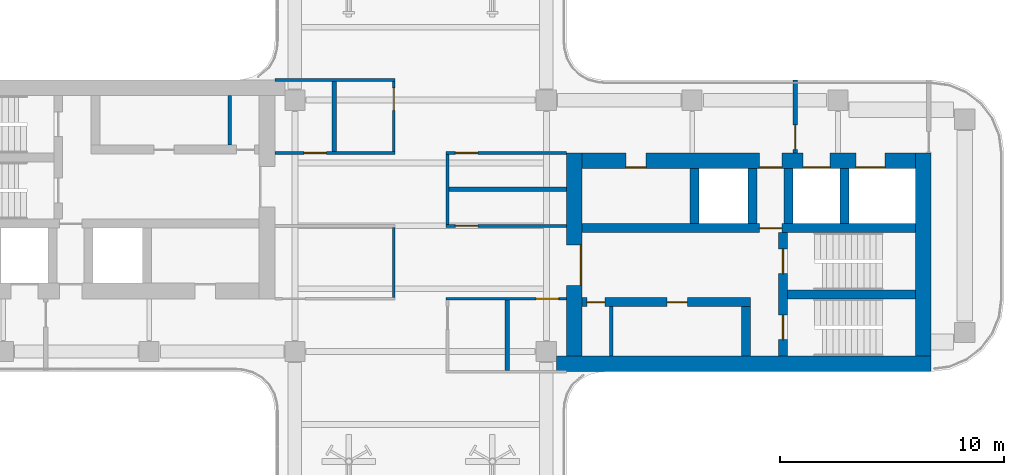
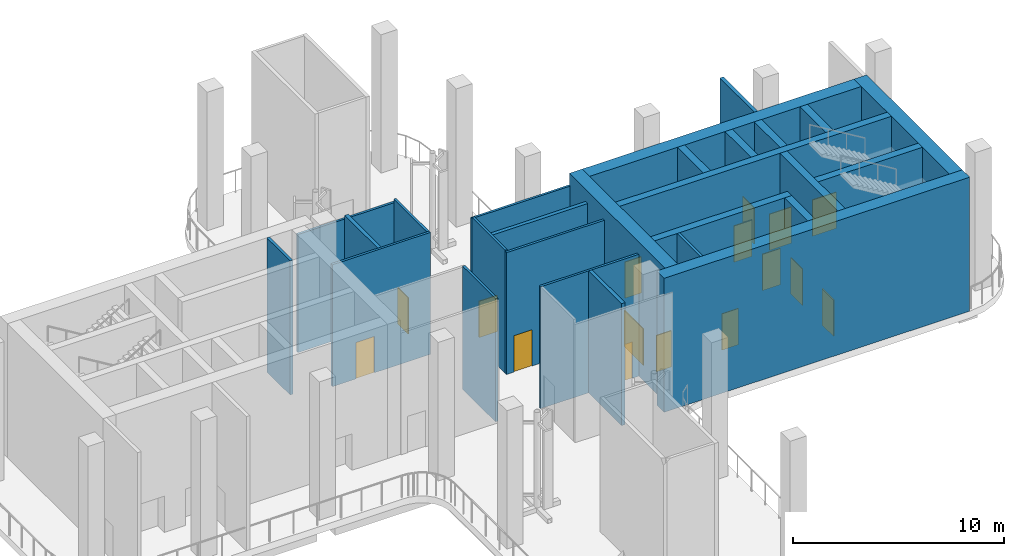
# One storey, part 3 of 8: 27 walls, 16 doors, 16 openings.
"""IFC4 building model written with IfcOpenShell, lengths in metres."""

from ifc_helpers import new_model, si_unit, direction, frame, frame_2d, origin, place, context, subcontext, project, spatial, rectangle, extrude, source, transform, mapped, material, layer, layer_set, type_object, element, fill, save


model = new_model("IFC4")

# Units and contexts
model_context = context("Model", 3, precision=1e-05, world=origin(), true_north=direction((0.0, 1.0)))
body_context = subcontext(model_context, "Body", "Model", "MODEL_VIEW")
ifc_project = project(units=[si_unit("LENGTHUNIT", "METRE"), si_unit("AREAUNIT", "SQUARE_METRE"), si_unit("VOLUMEUNIT", "CUBIC_METRE"), si_unit("PLANEANGLEUNIT", "RADIAN"), si_unit("MASSUNIT", "GRAM", prefix="KILO")], contexts=[model_context])

# Site, building, storey
site_placement = place(None, origin())
site = spatial("IfcSite", under=ifc_project, at=site_placement, CompositionType="ELEMENT")
building_placement = place(site_placement, origin())
building = spatial("IfcBuilding", under=site, at=building_placement, Name="Trellis Farm Tower", CompositionType="ELEMENT")
storey_placement = place(building_placement, frame((0.0, 0.0, 330.10009765625)))
storey = spatial("IfcBuildingStorey", under=building, at=storey_placement, Name="L75", CompositionType="ELEMENT", Elevation=330.10009765625)

# Wall
ifc_material_1 = material(Name="Lightweight blockwork, plastered", Category="masonry")
ifc_layer_1 = layer(ifc_material_1, 0.199951171875)
ifc_layer_set_1 = layer_set([ifc_layer_1], Name="BLOCK WALL 200 EI 120")
wall_type_1 = type_object("IfcWallType", Name="BLOCK WALL 200 EI 120", PredefinedType="PARTITIONING", material=ifc_layer_set_1)
wall_1_placement = place(storey_placement, frame((1.262451171875, 1.625, 0.0), z_axis=(0.0, 0.0, 1.0), x_axis=(1.0, 0.0, 0.0)))
element("IfcWall", 1, at=wall_1_placement, inside=storey, type_object=wall_type_1, Name="Partition PW3", PredefinedType="PARTITIONING", context=body_context, shape_type="SweptSolid", body=[
    extrude(rectangle(XDim=5.237548828125, YDim=0.199951171875, at=frame_2d((2.61865234375, 0.0))), origin(), (0.0, 0.0, 1.0), 7.04638671875),
])

# Wall, opening, door
ifc_material_2 = material(Name="Concrete C50/60", Category="concrete")
ifc_layer_2 = layer(ifc_material_2, 0.699951171875)
ifc_layer_set_2 = layer_set([ifc_layer_2], Name="CORE OUTER WALL 700 CONCRETE C50/60")
wall_type_2 = type_object("IfcWallType", Name="CORE OUTER WALL 700 CONCRETE C50/60", PredefinedType="SHEAR", material=ifc_layer_set_2)
shared_shape_1 = source(origin(), body_context, "Body", "SweptSolid", [
    extrude(rectangle(XDim=9.050048828125, YDim=0.699951171875, at=frame_2d((4.52490234375, 0.0))), origin(), (0.0, 0.0, 1.0), 7.75),
])
wall_2_placement = place(storey_placement, frame((6.85009765625, -5.800048828125, 0.0), z_axis=(0.0, 0.0, 1.0), x_axis=(0.0, 1.0, 0.0)))
wall_2 = element("IfcWall", 2, at=wall_2_placement, inside=storey, type_object=wall_type_2, Name="Core wall", PredefinedType="SHEAR", context=body_context, shape_type="MappedRepresentation", body=[
    mapped(shared_shape_1, transform((0.0, 0.0, 0.0))),
])
shared_shape_2 = source(origin(), body_context, "Body", "SweptSolid", [
    extrude(rectangle(XDim=1.800048828125, YDim=2.10009765625, at=frame_2d((0.89990234375, 1.050048828125))), frame((0.0, 0.360107421875, 0.0), z_axis=(0.0, -1.0, 0.0), x_axis=(1.0, 0.0, 0.0)), (0.0, 0.0, 1.0), 0.72021484375),
])
opening_1_placement = place(wall_2_placement, frame((3.14990234375, 0.0, 0.0)))
opening_1 = element("IfcOpeningElement", 3, at=opening_1_placement, cuts=wall_2, Name="Opening DC1", PredefinedType="OPENING", context=body_context, shape_type="MappedRepresentation", body=[
    mapped(shared_shape_2, transform((0.0, 0.0, 0.0))),
])
ifc_material_3 = material(Name="Steel", Category="steel")
door_type_1 = type_object("IfcDoorType", Name="CORE FIRE DOOR DOUBLE 1800 X 2100", OperationType="DOUBLE_DOOR_SINGLE_SWING", PredefinedType="DOOR", material=ifc_material_3)
shared_shape_3 = source(origin(), body_context, "Body", "SweptSolid", [
    extrude(rectangle(XDim=1.800048828125, YDim=2.10009765625, at=frame_2d((0.89990234375, 1.050048828125))), frame((0.0, -0.27490234375, 0.0), z_axis=(0.0, -1.0, 0.0), x_axis=(1.0, 0.0, 0.0)), (0.0, 0.0, 1.0), 0.050048828125),
])
door_1_placement = place(opening_1_placement, origin())
door_1 = element("IfcDoor", 4, at=door_1_placement, inside=storey, type_object=door_type_1, Name="Core door", OperationType="DOUBLE_DOOR_SINGLE_SWING", OverallHeight=2.10009765625, OverallWidth=1.800048828125, PredefinedType="DOOR", context=body_context, shape_type="MappedRepresentation", body=[
    mapped(shared_shape_3, transform((0.0, 0.0, 0.0))),
])
fill(opening_1, door_1)

# Walls
wall_3_placement = place(storey_placement, frame((22.39990234375, -5.800048828125, 0.0), z_axis=(0.0, 0.0, 1.0), x_axis=(0.0, 1.0, 0.0)))
element("IfcWall", 5, at=wall_3_placement, inside=storey, type_object=wall_type_2, Name="Core wall", PredefinedType="SHEAR", context=body_context, shape_type="MappedRepresentation", body=[
    mapped(shared_shape_1, transform((0.0, 0.0, 0.0))),
])
ifc_layer_3 = layer(ifc_material_2, 0.39990234375)
ifc_layer_set_3 = layer_set([ifc_layer_3], Name="CORE INNER WALL 400 CONCRETE C50/60")
wall_type_3 = type_object("IfcWallType", Name="CORE INNER WALL 400 CONCRETE C50/60", PredefinedType="SHEAR", material=ifc_layer_set_3)
shared_shape_4 = source(origin(), body_context, "Body", "SweptSolid", [
    extrude(rectangle(XDim=2.449951171875, YDim=0.39990234375, at=frame_2d((1.22509765625, 0.0))), origin(), (0.0, 0.0, 1.0), 7.75),
])
for number, where, z_axis, x_axis, name in (
    (6, (12.199951171875, 0.10009765625, 0.0), (0.0, 0.0, 1.0), (0.0, 1.0, 0.0), "Core wall"),
    (7, (14.800048828125, 0.10009765625, 0.0), (0.0, 0.0, 1.0), (0.0, 1.0, 0.0), "Core wall"),
    (8, (16.39990234375, 0.10009765625, 0.0), (0.0, 0.0, 1.0), (0.0, 1.0, 0.0), "Core wall"),
    (9, (18.89990234375, 0.10009765625, 0.0), (0.0, 0.0, 1.0), (0.0, 1.0, 0.0), "Core wall"),
):
    element("IfcWall", number, at=place(storey_placement, frame(where, z_axis=z_axis, x_axis=x_axis)), inside=storey, type_object=wall_type_3, Name=name, PredefinedType="SHEAR", context=body_context, shape_type="MappedRepresentation", body=[
        mapped(shared_shape_4, transform((0.0, 0.0, 0.0))),
    ])

# Wall, opening, door
ifc_material_4 = material(Name="Masonry blockwork", Category="masonry")
ifc_layer_4 = layer(ifc_material_4, 0.199951171875)
ifc_layer_set_4 = layer_set([ifc_layer_4], Name="FIRE LOBBY PARTITION 200 BLOCKWORK")
wall_type_4 = type_object("IfcWallType", Name="FIRE LOBBY PARTITION 200 BLOCKWORK", PredefinedType="PARTITIONING", material=ifc_layer_set_4)
shared_shape_5 = source(origin(), body_context, "Body", "SweptSolid", [
    extrude(rectangle(XDim=3.25, YDim=0.199951171875, at=frame_2d((1.625, 0.0))), origin(), (0.0, 0.0, 1.0), 7.75),
])
wall_4_placement = place(storey_placement, frame((16.699951171875, 3.25, 0.0), z_axis=(0.0, 0.0, 1.0), x_axis=(0.0, 1.0, 0.0)))
wall_4 = element("IfcWall", 10, at=wall_4_placement, inside=storey, type_object=wall_type_4, Name="Fire-fighting lobby partition", PredefinedType="PARTITIONING", context=body_context, shape_type="MappedRepresentation", body=[
    mapped(shared_shape_5, transform((0.0, 0.0, 0.0))),
])
shared_shape_6 = source(origin(), body_context, "Body", "SweptSolid", [
    extrude(rectangle(XDim=1.10009765625, YDim=2.10009765625, at=frame_2d((0.550048828125, 1.050048828125))), frame((0.0, 0.110107421875, 0.0), z_axis=(0.0, -1.0, 0.0), x_axis=(1.0, 0.0, 0.0)), (0.0, 0.0, 1.0), 0.22021484375),
])
opening_2_placement = place(wall_4_placement, frame((0.14990234375, 0.0, 0.0)))
opening_2 = element("IfcOpeningElement", 11, at=opening_2_placement, cuts=wall_4, Name="Opening DC7", PredefinedType="OPENING", context=body_context, shape_type="MappedRepresentation", body=[
    mapped(shared_shape_6, transform((0.0, 0.0, 0.0))),
])
door_type_2 = type_object("IfcDoorType", Name="CORE FIRE DOOR 1100 X 2100", OperationType="NOTDEFINED", PredefinedType="DOOR", material=ifc_material_3)
shared_shape_7 = source(origin(), body_context, "Body", "SweptSolid", [
    extrude(rectangle(XDim=1.10009765625, YDim=2.10009765625, at=frame_2d((0.550048828125, 1.050048828125))), frame((0.0, 0.02490234375, 0.0), z_axis=(0.0, -1.0, 0.0), x_axis=(1.0, 0.0, 0.0)), (0.0, 0.0, 1.0), 0.050048828125),
])
door_2_placement = place(opening_2_placement, origin())
door_2 = element("IfcDoor", 12, at=door_2_placement, inside=storey, type_object=door_type_2, Name="Core door", OperationType="SINGLE_SWING_RIGHT", OverallHeight=2.10009765625, OverallWidth=1.10009765625, PredefinedType="DOOR", context=body_context, shape_type="MappedRepresentation", body=[
    mapped(shared_shape_7, transform((0.0, 0.0, 0.0))),
])
fill(opening_2, door_2)

# Wall
shared_shape_8 = source(origin(), body_context, "Body", "SweptSolid", [
    extrude(rectangle(XDim=16.699951171875, YDim=0.699951171875, at=frame_2d((8.35009765625, 0.0))), origin(), (0.0, 0.0, 1.0), 7.75),
])
wall_5_placement = place(storey_placement, frame((6.050048828125, -6.14990234375, 0.0), z_axis=(0.0, 0.0, 1.0), x_axis=(1.0, 0.0, 0.0)))
element("IfcWall", 13, at=wall_5_placement, inside=storey, type_object=wall_type_2, Name="Core wall", PredefinedType="SHEAR", context=body_context, shape_type="MappedRepresentation", body=[
    mapped(shared_shape_8, transform((0.0, 0.0, 0.0))),
])

# Wall, openings, doors
shared_shape_9 = source(origin(), body_context, "Body", "SweptSolid", [
    extrude(rectangle(XDim=14.85009765625, YDim=0.699951171875, at=frame_2d((7.425048828125, 0.0))), origin(), (0.0, 0.0, 1.0), 7.75),
])
wall_6_placement = place(storey_placement, frame((7.199951171875, 2.89990234375, 0.0), z_axis=(0.0, 0.0, 1.0), x_axis=(1.0, 0.0, 0.0)))
wall_6 = element("IfcWall", 14, at=wall_6_placement, inside=storey, type_object=wall_type_2, Name="Core wall", PredefinedType="SHEAR", context=body_context, shape_type="MappedRepresentation", body=[
    mapped(shared_shape_9, transform((0.0, 0.0, 0.0))),
])
shared_shape_10 = source(origin(), body_context, "Body", "SweptSolid", [
    extrude(rectangle(XDim=1.300048828125, YDim=2.10009765625, at=frame_2d((0.64990234375, 1.050048828125))), frame((0.0, 0.360107421875, 0.0), z_axis=(0.0, -1.0, 0.0), x_axis=(1.0, 0.0, 0.0)), (0.0, 0.0, 1.0), 0.72021484375),
])
opening_3_placement = place(wall_6_placement, frame((12.199951171875, 0.0, 0.0)))
opening_3 = element("IfcOpeningElement", 15, at=opening_3_placement, cuts=wall_6, Name="Opening LD7", PredefinedType="OPENING", context=body_context, shape_type="MappedRepresentation", body=[
    mapped(shared_shape_10, transform((0.0, 0.0, 0.0))),
])
shared_shape_11 = source(origin(), body_context, "Body", "SweptSolid", [
    extrude(rectangle(XDim=1.199951171875, YDim=2.10009765625, at=frame_2d((0.60009765625, 1.050048828125))), frame((0.0, 0.360107421875, 0.0), z_axis=(0.0, -1.0, 0.0), x_axis=(1.0, 0.0, 0.0)), (0.0, 0.0, 1.0), 0.72021484375),
])
opening_4_placement = place(wall_6_placement, frame((9.85009765625, 0.0, 0.0)))
opening_4 = element("IfcOpeningElement", 16, at=opening_4_placement, cuts=wall_6, Name="Opening LD8", PredefinedType="OPENING", context=body_context, shape_type="MappedRepresentation", body=[
    mapped(shared_shape_11, transform((0.0, 0.0, 0.0))),
])
shared_shape_12 = source(origin(), body_context, "Body", "SweptSolid", [
    extrude(rectangle(XDim=1.0, YDim=2.10009765625, at=frame_2d((0.5, 1.050048828125))), frame((0.0, 0.360107421875, 0.0), z_axis=(0.0, -1.0, 0.0), x_axis=(1.0, 0.0, 0.0)), (0.0, 0.0, 1.0), 0.72021484375),
])
opening_5_placement = place(wall_6_placement, frame((7.89990234375, 0.0, 0.0)))
opening_5 = element("IfcOpeningElement", 17, at=opening_5_placement, cuts=wall_6, Name="Opening DC6", PredefinedType="OPENING", context=body_context, shape_type="MappedRepresentation", body=[
    mapped(shared_shape_12, transform((0.0, 0.0, 0.0))),
])
shared_shape_13 = source(origin(), body_context, "Body", "SweptSolid", [
    extrude(rectangle(XDim=0.89990234375, YDim=2.10009765625, at=frame_2d((0.449951171875, 1.050048828125))), frame((0.0, 0.360107421875, 0.0), z_axis=(0.0, -1.0, 0.0), x_axis=(1.0, 0.0, 0.0)), (0.0, 0.0, 1.0), 0.72021484375),
])
opening_6_placement = place(wall_6_placement, frame((1.949951171875, 0.0, 0.0)))
opening_6 = element("IfcOpeningElement", 18, at=opening_6_placement, cuts=wall_6, Name="Opening DC11", PredefinedType="OPENING", context=body_context, shape_type="MappedRepresentation", body=[
    mapped(shared_shape_13, transform((0.0, 0.0, 0.0))),
])
door_type_3 = type_object("IfcDoorType", Name="CORE FIRE DOOR 1000 X 2100", OperationType="NOTDEFINED", PredefinedType="DOOR", material=ifc_material_3)
shared_shape_14 = source(origin(), body_context, "Body", "SweptSolid", [
    extrude(rectangle(XDim=1.0, YDim=2.10009765625, at=frame_2d((0.5, 1.050048828125))), frame((0.0, -0.27490234375, 0.0), z_axis=(0.0, -1.0, 0.0), x_axis=(1.0, 0.0, 0.0)), (0.0, 0.0, 1.0), 0.050048828125),
])
door_3_placement = place(opening_5_placement, origin())
door_3 = element("IfcDoor", 19, at=door_3_placement, inside=storey, type_object=door_type_3, Name="Core door", OperationType="SINGLE_SWING_LEFT", OverallHeight=2.10009765625, OverallWidth=1.0, PredefinedType="DOOR", context=body_context, shape_type="MappedRepresentation", body=[
    mapped(shared_shape_14, transform((0.0, 0.0, 0.0))),
])
fill(opening_5, door_3)
door_type_4 = type_object("IfcDoorType", Name="CORE FIRE DOOR 900 X 2100", OperationType="NOTDEFINED", PredefinedType="DOOR", material=ifc_material_3)
shared_shape_15 = source(origin(), body_context, "Body", "SweptSolid", [
    extrude(rectangle(XDim=0.89990234375, YDim=2.10009765625, at=frame_2d((0.449951171875, 1.050048828125))), frame((0.0, -0.27490234375, 0.0), z_axis=(0.0, -1.0, 0.0), x_axis=(1.0, 0.0, 0.0)), (0.0, 0.0, 1.0), 0.050048828125),
])
door_4_placement = place(opening_6_placement, origin())
door_4 = element("IfcDoor", 20, at=door_4_placement, inside=storey, type_object=door_type_4, Name="Core door", OperationType="SINGLE_SWING_LEFT", OverallHeight=2.10009765625, OverallWidth=0.89990234375, PredefinedType="DOOR", context=body_context, shape_type="MappedRepresentation", body=[
    mapped(shared_shape_15, transform((0.0, 0.0, 0.0))),
])
fill(opening_6, door_4)
ifc_material_5 = material(Name="Stainless steel", Category="steel")
door_type_5 = type_object("IfcDoorType", Name="LIFT LANDING DOOR 1300 X 2100", OperationType="DOUBLE_DOOR_SLIDING", PredefinedType="DOOR", material=ifc_material_5)
shared_shape_16 = source(origin(), body_context, "Body", "SweptSolid", [
    extrude(rectangle(XDim=1.300048828125, YDim=2.10009765625, at=frame_2d((0.64990234375, 1.050048828125))), frame((0.0, -0.27490234375, 0.0), z_axis=(0.0, -1.0, 0.0), x_axis=(1.0, 0.0, 0.0)), (0.0, 0.0, 1.0), 0.050048828125),
])
door_5_placement = place(opening_3_placement, origin())
door_5 = element("IfcDoor", 21, at=door_5_placement, inside=storey, type_object=door_type_5, Name="Lift landing door", OperationType="DOUBLE_DOOR_SLIDING", OverallHeight=2.10009765625, OverallWidth=1.300048828125, PredefinedType="DOOR", context=body_context, shape_type="MappedRepresentation", body=[
    mapped(shared_shape_16, transform((0.0, 0.0, 0.0))),
])
fill(opening_3, door_5)
door_type_6 = type_object("IfcDoorType", Name="LIFT LANDING DOOR 1200 X 2100", OperationType="DOUBLE_DOOR_SLIDING", PredefinedType="DOOR", material=ifc_material_5)
shared_shape_17 = source(origin(), body_context, "Body", "SweptSolid", [
    extrude(rectangle(XDim=1.199951171875, YDim=2.10009765625, at=frame_2d((0.60009765625, 1.050048828125))), frame((0.0, -0.27490234375, 0.0), z_axis=(0.0, -1.0, 0.0), x_axis=(1.0, 0.0, 0.0)), (0.0, 0.0, 1.0), 0.050048828125),
])
door_6_placement = place(opening_4_placement, origin())
door_6 = element("IfcDoor", 22, at=door_6_placement, inside=storey, type_object=door_type_6, Name="Lift landing door", OperationType="DOUBLE_DOOR_SLIDING", OverallHeight=2.10009765625, OverallWidth=1.199951171875, PredefinedType="DOOR", context=body_context, shape_type="MappedRepresentation", body=[
    mapped(shared_shape_17, transform((0.0, 0.0, 0.0))),
])
fill(opening_4, door_6)

shared_shape_18 = source(origin(), body_context, "Body", "SweptSolid", [
    extrude(rectangle(XDim=7.5, YDim=0.39990234375, at=frame_2d((3.75, 0.0))), origin(), (0.0, 0.0, 1.0), 7.75),
])
wall_7_placement = place(storey_placement, frame((7.199951171875, -3.39990234375, 0.0), z_axis=(0.0, 0.0, 1.0), x_axis=(1.0, 0.0, 0.0)))
wall_7 = element("IfcWall", 23, at=wall_7_placement, inside=storey, type_object=wall_type_3, Name="Core wall", PredefinedType="SHEAR", context=body_context, shape_type="MappedRepresentation", body=[
    mapped(shared_shape_18, transform((0.0, 0.0, 0.0))),
])
shared_shape_19 = source(origin(), body_context, "Body", "SweptSolid", [
    extrude(rectangle(XDim=0.800048828125, YDim=2.10009765625, at=frame_2d((0.39990234375, 1.050048828125))), frame((0.0, 0.2099609375, 0.0), z_axis=(0.0, -1.0, 0.0), x_axis=(1.0, 0.0, 0.0)), (0.0, 0.0, 1.0), 0.419921875),
])
opening_7_placement = place(wall_7_placement, frame((0.21240234375, 0.0, 0.0)))
opening_7 = element("IfcOpeningElement", 24, at=opening_7_placement, cuts=wall_7, Name="Opening DC51", PredefinedType="OPENING", context=body_context, shape_type="MappedRepresentation", body=[
    mapped(shared_shape_19, transform((0.0, 0.0, 0.0))),
])
shared_shape_20 = source(origin(), body_context, "Body", "SweptSolid", [
    extrude(rectangle(XDim=0.89990234375, YDim=2.10009765625, at=frame_2d((0.449951171875, 1.050048828125))), frame((0.0, 0.2099609375, 0.0), z_axis=(0.0, -1.0, 0.0), x_axis=(1.0, 0.0, 0.0)), (0.0, 0.0, 1.0), 0.419921875),
])
opening_8_placement = place(wall_7_placement, frame((3.78759765625, 0.0, 0.0)))
opening_8 = element("IfcOpeningElement", 25, at=opening_8_placement, cuts=wall_7, Name="Opening DC60", PredefinedType="OPENING", context=body_context, shape_type="MappedRepresentation", body=[
    mapped(shared_shape_20, transform((0.0, 0.0, 0.0))),
])
shared_shape_21 = source(origin(), body_context, "Body", "SweptSolid", [
    extrude(rectangle(XDim=0.89990234375, YDim=2.10009765625, at=frame_2d((0.449951171875, 1.050048828125))), frame((0.0, 0.02490234375, 0.0), z_axis=(0.0, -1.0, 0.0), x_axis=(1.0, 0.0, 0.0)), (0.0, 0.0, 1.0), 0.050048828125),
])
door_7_placement = place(opening_8_placement, origin())
door_7 = element("IfcDoor", 26, at=door_7_placement, inside=storey, type_object=door_type_4, Name="Core door", OperationType="SINGLE_SWING_RIGHT", OverallHeight=2.10009765625, OverallWidth=0.89990234375, PredefinedType="DOOR", context=body_context, shape_type="MappedRepresentation", body=[
    mapped(shared_shape_21, transform((0.0, 0.0, 0.0))),
])
fill(opening_8, door_7)
door_type_7 = type_object("IfcDoorType", Name="CORE FIRE DOOR 800 X 2100", OperationType="NOTDEFINED", PredefinedType="DOOR", material=ifc_material_3)
shared_shape_22 = source(origin(), body_context, "Body", "SweptSolid", [
    extrude(rectangle(XDim=0.800048828125, YDim=2.10009765625, at=frame_2d((0.39990234375, 1.050048828125))), frame((0.0, 0.02490234375, 0.0), z_axis=(0.0, -1.0, 0.0), x_axis=(1.0, 0.0, 0.0)), (0.0, 0.0, 1.0), 0.050048828125),
])
door_8_placement = place(opening_7_placement, origin())
door_8 = element("IfcDoor", 27, at=door_8_placement, inside=storey, type_object=door_type_7, Name="Core door", OperationType="SINGLE_SWING_LEFT", OverallHeight=2.10009765625, OverallWidth=0.800048828125, PredefinedType="DOOR", context=body_context, shape_type="MappedRepresentation", body=[
    mapped(shared_shape_22, transform((0.0, 0.0, 0.0))),
])
fill(opening_7, door_8)

# Wall, opening, door
shared_shape_23 = source(origin(), body_context, "Body", "SweptSolid", [
    extrude(rectangle(XDim=14.85009765625, YDim=0.39990234375, at=frame_2d((7.425048828125, 0.0))), origin(), (0.0, 0.0, 1.0), 7.75),
])
wall_8_placement = place(storey_placement, frame((7.199951171875, -0.10009765625, 0.0), z_axis=(0.0, 0.0, 1.0), x_axis=(1.0, 0.0, 0.0)))
wall_8 = element("IfcWall", 28, at=wall_8_placement, inside=storey, type_object=wall_type_3, Name="Core wall", PredefinedType="SHEAR", context=body_context, shape_type="MappedRepresentation", body=[
    mapped(shared_shape_23, transform((0.0, 0.0, 0.0))),
])
shared_shape_24 = source(origin(), body_context, "Body", "SweptSolid", [
    extrude(rectangle(XDim=1.0, YDim=2.10009765625, at=frame_2d((0.5, 1.050048828125))), frame((0.0, 0.2099609375, 0.0), z_axis=(0.0, -1.0, 0.0), x_axis=(1.0, 0.0, 0.0)), (0.0, 0.0, 1.0), 0.419921875),
])
opening_9_placement = place(wall_8_placement, frame((7.89990234375, 0.0, 0.0)))
opening_9 = element("IfcOpeningElement", 29, at=opening_9_placement, cuts=wall_8, Name="Opening DC5", PredefinedType="OPENING", context=body_context, shape_type="MappedRepresentation", body=[
    mapped(shared_shape_24, transform((0.0, 0.0, 0.0))),
])
shared_shape_25 = source(origin(), body_context, "Body", "SweptSolid", [
    extrude(rectangle(XDim=1.0, YDim=2.10009765625, at=frame_2d((0.5, 1.050048828125))), frame((0.0, 0.02490234375, 0.0), z_axis=(0.0, -1.0, 0.0), x_axis=(1.0, 0.0, 0.0)), (0.0, 0.0, 1.0), 0.050048828125),
])
door_9_placement = place(opening_9_placement, origin())
door_9 = element("IfcDoor", 30, at=door_9_placement, inside=storey, type_object=door_type_3, Name="Core door", OperationType="SINGLE_SWING_RIGHT", OverallHeight=2.10009765625, OverallWidth=1.0, PredefinedType="DOOR", context=body_context, shape_type="MappedRepresentation", body=[
    mapped(shared_shape_25, transform((0.0, 0.0, 0.0))),
])
fill(opening_9, door_9)

# Wall, openings, doors
shared_shape_26 = source(origin(), body_context, "Body", "SweptSolid", [
    extrude(rectangle(XDim=5.5, YDim=0.39990234375, at=frame_2d((2.75, 0.0))), origin(), (0.0, 0.0, 1.0), 7.75),
])
wall_9_placement = place(storey_placement, frame((16.14990234375, -5.800048828125, 0.0), z_axis=(0.0, 0.0, 1.0), x_axis=(0.0, 1.0, 0.0)))
wall_9 = element("IfcWall", 31, at=wall_9_placement, inside=storey, type_object=wall_type_3, Name="Core wall", PredefinedType="SHEAR", context=body_context, shape_type="MappedRepresentation", body=[
    mapped(shared_shape_26, transform((0.0, 0.0, 0.0))),
])
shared_shape_27 = source(origin(), body_context, "Body", "SweptSolid", [
    extrude(rectangle(XDim=1.10009765625, YDim=2.10009765625, at=frame_2d((0.550048828125, 1.050048828125))), frame((0.0, 0.2099609375, 0.0), z_axis=(0.0, -1.0, 0.0), x_axis=(1.0, 0.0, 0.0)), (0.0, 0.0, 1.0), 0.419921875),
])
opening_10_placement = place(wall_9_placement, frame((0.72509765625, 0.0, 0.0)))
opening_10 = element("IfcOpeningElement", 32, at=opening_10_placement, cuts=wall_9, Name="Opening DC2", PredefinedType="OPENING", context=body_context, shape_type="MappedRepresentation", body=[
    mapped(shared_shape_27, transform((0.0, 0.0, 0.0))),
])
opening_11_placement = place(wall_9_placement, frame((3.675048828125, 0.0, 0.0)))
opening_11 = element("IfcOpeningElement", 33, at=opening_11_placement, cuts=wall_9, Name="Opening DC3", PredefinedType="OPENING", context=body_context, shape_type="MappedRepresentation", body=[
    mapped(shared_shape_27, transform((0.0, 0.0, 0.0))),
])
door_10_placement = place(opening_10_placement, origin())
door_10 = element("IfcDoor", 34, at=door_10_placement, inside=storey, type_object=door_type_2, Name="Core door", OperationType="SINGLE_SWING_RIGHT", OverallHeight=2.10009765625, OverallWidth=1.10009765625, PredefinedType="DOOR", context=body_context, shape_type="MappedRepresentation", body=[
    mapped(shared_shape_7, transform((0.0, 0.0, 0.0))),
])
fill(opening_10, door_10)
door_11_placement = place(opening_11_placement, origin())
door_11 = element("IfcDoor", 35, at=door_11_placement, inside=storey, type_object=door_type_2, Name="Core door", OperationType="SINGLE_SWING_LEFT", OverallHeight=2.10009765625, OverallWidth=1.10009765625, PredefinedType="DOOR", context=body_context, shape_type="MappedRepresentation", body=[
    mapped(shared_shape_7, transform((0.0, 0.0, 0.0))),
])
fill(opening_11, door_11)

# Walls
shared_shape_28 = source(origin(), body_context, "Body", "SweptSolid", [
    extrude(rectangle(XDim=5.699951171875, YDim=0.39990234375, at=frame_2d((2.85009765625, 0.0))), origin(), (0.0, 0.0, 1.0), 7.75),
])
wall_10_placement = place(storey_placement, frame((16.35009765625, -3.050048828125, 0.0), z_axis=(0.0, 0.0, 1.0), x_axis=(1.0, 0.0, 0.0)))
element("IfcWall", 36, at=wall_10_placement, inside=storey, type_object=wall_type_3, Name="Core wall", PredefinedType="SHEAR", context=body_context, shape_type="MappedRepresentation", body=[
    mapped(shared_shape_28, transform((0.0, 0.0, 0.0))),
])
shared_shape_29 = source(origin(), body_context, "Body", "SweptSolid", [
    extrude(rectangle(XDim=2.199951171875, YDim=0.39990234375, at=frame_2d((1.10009765625, 0.0))), origin(), (0.0, 0.0, 1.0), 7.75),
])
wall_11_placement = place(storey_placement, frame((14.5, -5.800048828125, 0.0), z_axis=(0.0, 0.0, 1.0), x_axis=(0.0, 1.0, 0.0)))
element("IfcWall", 37, at=wall_11_placement, inside=storey, type_object=wall_type_3, Name="Core wall", PredefinedType="SHEAR", context=body_context, shape_type="MappedRepresentation", body=[
    mapped(shared_shape_29, transform((0.0, 0.0, 0.0))),
])
ifc_layer_5 = layer(ifc_material_4, 0.14990234375)
ifc_layer_set_5 = layer_set([ifc_layer_5], Name="CORE PARTITION 150 BLOCKWORK")
wall_type_5 = type_object("IfcWallType", Name="CORE PARTITION 150 BLOCKWORK", PredefinedType="PARTITIONING", material=ifc_layer_set_5)
shared_shape_30 = source(origin(), body_context, "Body", "SweptSolid", [
    extrude(rectangle(XDim=2.199951171875, YDim=0.14990234375, at=frame_2d((1.10009765625, 0.0))), origin(), (0.0, 0.0, 1.0), 7.75),
])
for number, where, z_axis, x_axis, name in (
    (38, (8.5, -5.800048828125, 0.0), (0.0, 0.0, 1.0), (0.0, 1.0, 0.0), "Core room partition"),
    (39, (-8.5, 5.800048828125, 0.0), (0.0, 0.0, 1.0), (0.0, -1.0, 0.0), "Core room partition"),
):
    element("IfcWall", number, at=place(storey_placement, frame(where, z_axis=z_axis, x_axis=x_axis)), inside=storey, type_object=wall_type_5, Name=name, PredefinedType="PARTITIONING", context=body_context, shape_type="MappedRepresentation", body=[
        mapped(shared_shape_30, transform((0.0, 0.0, 0.0))),
    ])

# Wall, opening, door
ifc_material_6 = material(Name="Plasterboard on steel studs, mineral wool", Category="steel")
ifc_layer_6 = layer(ifc_material_6, 0.125)
ifc_layer_set_6 = layer_set([ifc_layer_6], Name="PARTITION 125 STUD EI 60")
wall_type_6 = type_object("IfcWallType", Name="PARTITION 125 STUD EI 60", PredefinedType="PARTITIONING", material=ifc_layer_set_6)
shared_shape_31 = source(origin(), body_context, "Body", "SweptSolid", [
    extrude(rectangle(XDim=3.125, YDim=0.125, at=frame_2d((1.5625, 0.0))), origin(), (0.0, 0.0, 1.0), 7.04638671875),
])
wall_12_placement = place(storey_placement, frame((-1.199951171875, 3.3125, 0.0), z_axis=(0.0, 0.0, 1.0), x_axis=(0.0, 1.0, 0.0)))
wall_12 = element("IfcWall", 40, at=wall_12_placement, inside=storey, type_object=wall_type_6, Name="Partition PW1", PredefinedType="PARTITIONING", context=body_context, shape_type="MappedRepresentation", body=[
    mapped(shared_shape_31, transform((0.0, 0.0, 0.0))),
])
shared_shape_32 = source(origin(), body_context, "Body", "SweptSolid", [
    extrude(rectangle(XDim=1.0, YDim=2.10009765625, at=frame_2d((0.5, 1.050048828125))), frame((0.0, 0.072509765625, 0.0), z_axis=(0.0, -1.0, 0.0), x_axis=(1.0, 0.0, 0.0)), (0.0, 0.0, 1.0), 0.14501953125),
])
opening_12_placement = place(wall_12_placement, frame((1.83740234375, 0.0, 0.0)))
opening_12 = element("IfcOpeningElement", 41, at=opening_12_placement, cuts=wall_12, Name="Opening D307", PredefinedType="OPENING", context=body_context, shape_type="MappedRepresentation", body=[
    mapped(shared_shape_32, transform((0.0, 0.0, 0.0))),
])
ifc_material_7 = material(Name="Fire-rated timber door leaf in a hollow metal frame", Category="wood")
door_type_8 = type_object("IfcDoorType", Name="DOOR 1000x2100 FD60", OperationType="NOTDEFINED", PredefinedType="DOOR", material=ifc_material_7)
door_12_placement = place(opening_12_placement, origin())
door_12 = element("IfcDoor", 42, at=door_12_placement, inside=storey, type_object=door_type_8, Name="Door D307", OperationType="SINGLE_SWING_RIGHT", OverallHeight=2.10009765625, OverallWidth=1.0, PredefinedType="DOOR", context=body_context, shape_type="MappedRepresentation", body=[
    mapped(shared_shape_25, transform((0.0, 0.0, 0.0))),
])
fill(opening_12, door_12)

# Walls
shared_shape_33 = source(origin(), body_context, "Body", "SweptSolid", [
    extrude(rectangle(XDim=3.125, YDim=0.125, at=frame_2d((1.5625, 0.0))), origin(), (0.0, 0.0, 1.0), 7.11767578125),
])
for number, where, z_axis, x_axis, name in (
    (43, (-1.199951171875, -3.1875, 0.0), (0.0, 0.0, 1.0), (0.0, 1.0, 0.0), "Partition PW1"),
    (44, (1.199951171875, 0.0625, 0.0), (0.0, 0.0, 1.0), (0.0, 1.0, 0.0), "Partition PW1"),
):
    element("IfcWall", number, at=place(storey_placement, frame(where, z_axis=z_axis, x_axis=x_axis)), inside=storey, type_object=wall_type_6, Name=name, PredefinedType="PARTITIONING", context=body_context, shape_type="MappedRepresentation", body=[
        mapped(shared_shape_33, transform((0.0, 0.0, 0.0))),
    ])
shared_shape_34 = source(origin(), body_context, "Body", "SweptSolid", [
    extrude(rectangle(XDim=3.125, YDim=0.199951171875, at=frame_2d((1.5625, 0.0))), origin(), (0.0, 0.0, 1.0), 7.04638671875),
])
for number, where, z_axis, x_axis, name in (
    (45, (-3.85009765625, 3.3125, 0.0), (0.0, 0.0, 1.0), (0.0, 1.0, 0.0), "Partition PW3"),
    (46, (3.85009765625, -6.4375, 0.0), (0.0, 0.0, 1.0), (0.0, 1.0, 0.0), "Partition PW3"),
):
    element("IfcWall", number, at=place(storey_placement, frame(where, z_axis=z_axis, x_axis=x_axis)), inside=storey, type_object=wall_type_1, Name=name, PredefinedType="PARTITIONING", context=body_context, shape_type="MappedRepresentation", body=[
        mapped(shared_shape_34, transform((0.0, 0.0, 0.0))),
    ])

# Wall, opening, door
shared_shape_35 = source(origin(), body_context, "Body", "SweptSolid", [
    extrude(rectangle(XDim=5.362548828125, YDim=0.125, at=frame_2d((2.68115234375, 0.0))), origin(), (0.0, 0.0, 1.0), 7.04638671875),
])
wall_13_placement = place(storey_placement, frame((6.5, -3.25, 0.0), z_axis=(0.0, 0.0, 1.0), x_axis=(-1.0, 0.0, 0.0)))
wall_13 = element("IfcWall", 47, at=wall_13_placement, inside=storey, type_object=wall_type_6, Name="Partition PW1", PredefinedType="PARTITIONING", context=body_context, shape_type="MappedRepresentation", body=[
    mapped(shared_shape_35, transform((0.0, 0.0, 0.0))),
])
opening_13_placement = place(wall_13_placement, frame((0.35009765625, 0.0, 0.0)))
opening_13 = element("IfcOpeningElement", 48, at=opening_13_placement, cuts=wall_13, Name="Opening D303", PredefinedType="OPENING", context=body_context, shape_type="MappedRepresentation", body=[
    mapped(shared_shape_32, transform((0.0, 0.0, 0.0))),
])
door_13_placement = place(opening_13_placement, origin())
door_13 = element("IfcDoor", 49, at=door_13_placement, inside=storey, type_object=door_type_8, Name="Door D303", OperationType="SINGLE_SWING_LEFT", OverallHeight=2.10009765625, OverallWidth=1.0, PredefinedType="DOOR", context=body_context, shape_type="MappedRepresentation", body=[
    mapped(shared_shape_25, transform((0.0, 0.0, 0.0))),
])
fill(opening_13, door_13)

wall_14_placement = place(storey_placement, frame((1.137451171875, 0.0, 0.0), z_axis=(0.0, 0.0, 1.0), x_axis=(1.0, 0.0, 0.0)))
wall_14 = element("IfcWall", 50, at=wall_14_placement, inside=storey, type_object=wall_type_6, Name="Partition PW1", PredefinedType="PARTITIONING", context=body_context, shape_type="MappedRepresentation", body=[
    mapped(shared_shape_35, transform((0.0, 0.0, 0.0))),
])
opening_14_placement = place(wall_14_placement, frame((0.41259765625, 0.0, 0.0)))
opening_14 = element("IfcOpeningElement", 51, at=opening_14_placement, cuts=wall_14, Name="Opening D304", PredefinedType="OPENING", context=body_context, shape_type="MappedRepresentation", body=[
    mapped(shared_shape_32, transform((0.0, 0.0, 0.0))),
])
door_14_placement = place(opening_14_placement, origin())
door_14 = element("IfcDoor", 52, at=door_14_placement, inside=storey, type_object=door_type_8, Name="Door D304", OperationType="SINGLE_SWING_LEFT", OverallHeight=2.10009765625, OverallWidth=1.0, PredefinedType="DOOR", context=body_context, shape_type="MappedRepresentation", body=[
    mapped(shared_shape_25, transform((0.0, 0.0, 0.0))),
])
fill(opening_14, door_14)

wall_15_placement = place(storey_placement, frame((-6.5, 3.25, 0.0), z_axis=(0.0, 0.0, 1.0), x_axis=(1.0, 0.0, 0.0)))
wall_15 = element("IfcWall", 53, at=wall_15_placement, inside=storey, type_object=wall_type_6, Name="Partition PW1", PredefinedType="PARTITIONING", context=body_context, shape_type="MappedRepresentation", body=[
    mapped(shared_shape_35, transform((0.0, 0.0, 0.0))),
])
opening_15_placement = place(wall_15_placement, frame((1.300048828125, 0.0, 0.0)))
opening_15 = element("IfcOpeningElement", 54, at=opening_15_placement, cuts=wall_15, Name="Opening D305", PredefinedType="OPENING", context=body_context, shape_type="MappedRepresentation", body=[
    mapped(shared_shape_32, transform((0.0, 0.0, 0.0))),
])
door_15_placement = place(opening_15_placement, origin())
door_15 = element("IfcDoor", 55, at=door_15_placement, inside=storey, type_object=door_type_8, Name="Door D305", OperationType="SINGLE_SWING_RIGHT", OverallHeight=2.10009765625, OverallWidth=1.0, PredefinedType="DOOR", context=body_context, shape_type="MappedRepresentation", body=[
    mapped(shared_shape_25, transform((0.0, 0.0, 0.0))),
])
fill(opening_15, door_15)

wall_16_placement = place(storey_placement, frame((1.137451171875, 3.25, 0.0), z_axis=(0.0, 0.0, 1.0), x_axis=(1.0, 0.0, 0.0)))
wall_16 = element("IfcWall", 56, at=wall_16_placement, inside=storey, type_object=wall_type_6, Name="Partition PW1", PredefinedType="PARTITIONING", context=body_context, shape_type="MappedRepresentation", body=[
    mapped(shared_shape_35, transform((0.0, 0.0, 0.0))),
])
opening_16_placement = place(wall_16_placement, frame((0.41259765625, 0.0, 0.0)))
opening_16 = element("IfcOpeningElement", 57, at=opening_16_placement, cuts=wall_16, Name="Opening D306", PredefinedType="OPENING", context=body_context, shape_type="MappedRepresentation", body=[
    mapped(shared_shape_32, transform((0.0, 0.0, 0.0))),
])
door_16_placement = place(opening_16_placement, origin())
door_16 = element("IfcDoor", 58, at=door_16_placement, inside=storey, type_object=door_type_8, Name="Door D306", OperationType="SINGLE_SWING_LEFT", OverallHeight=2.10009765625, OverallWidth=1.0, PredefinedType="DOOR", context=body_context, shape_type="MappedRepresentation", body=[
    mapped(shared_shape_25, transform((0.0, 0.0, 0.0))),
])
fill(opening_16, door_16)

# Wall
shared_shape_36 = source(origin(), body_context, "Body", "SweptSolid", [
    extrude(rectangle(XDim=5.362548828125, YDim=0.125, at=frame_2d((2.68115234375, 0.0))), origin(), (0.0, 0.0, 1.0), 6.829833984375),
])
wall_17_placement = place(storey_placement, frame((-6.5, 6.5, 0.0), z_axis=(0.0, 0.0, 1.0), x_axis=(1.0, 0.0, 0.0)))
element("IfcWall", 59, at=wall_17_placement, inside=storey, type_object=wall_type_6, Name="Partition PW1", PredefinedType="PARTITIONING", context=body_context, shape_type="MappedRepresentation", body=[
    mapped(shared_shape_36, transform((0.0, 0.0, 0.0))),
])

save(model, "model.ifc")
